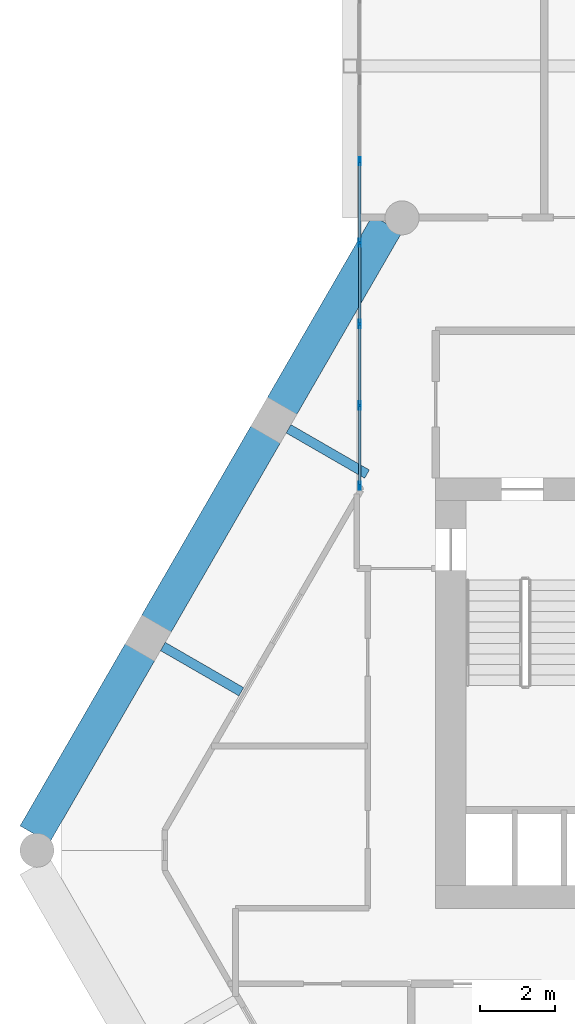
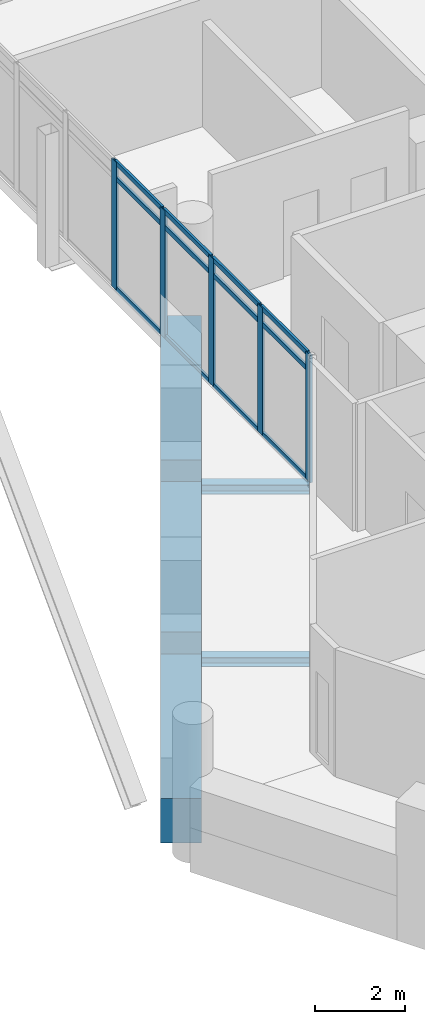
# One storey, part 15 of 34: 17 members, 5 beams, 1 element without a shape of its own.
"""IFC4 building model written with IfcOpenShell, lengths in metres."""

from ifc_helpers import new_model, si_unit, direction, frame, origin, origin_2d, place, context, subcontext, project, spatial, rectangle, hollow_rectangle, i_section, extrude, material, material_profile, profile_set, type_object, element, aggregate, save


model = new_model("IFC4")

# Units and contexts
model_context = context("Model", 3, precision=1e-05, world=origin(), true_north=direction((0.0, 1.0)))
body_context = subcontext(model_context, "Body", "Model", "MODEL_VIEW")
ifc_project = project(units=[si_unit("LENGTHUNIT", "METRE"), si_unit("AREAUNIT", "SQUARE_METRE"), si_unit("VOLUMEUNIT", "CUBIC_METRE"), si_unit("PLANEANGLEUNIT", "RADIAN"), si_unit("MASSUNIT", "GRAM", prefix="KILO")], contexts=[model_context])

# Site, building, storey
site_placement = place(None, origin())
site = spatial("IfcSite", under=ifc_project, at=site_placement, CompositionType="ELEMENT")
building_placement = place(site_placement, origin())
building = spatial("IfcBuilding", under=site, at=building_placement, Name="Ostrander Bayou Hotel Tower", CompositionType="ELEMENT")
storey_placement = place(building_placement, frame((0.0, 0.0, 222.0)))
storey = spatial("IfcBuildingStorey", under=building, at=storey_placement, Name="L55", CompositionType="ELEMENT", Elevation=222.0)

# Curtain wall, members
ifc_material_1 = material(Name="Aluminium and clear glass", Category="aluminium")
curtain_wall_type = type_object("IfcCurtainWallType", Name="CW-BAR glazed wall", PredefinedType="NOTDEFINED", material=ifc_material_1)
curtain_wall_placement = place(storey_placement, origin())
curtain_wall = element("IfcCurtainWall", 1, at=curtain_wall_placement, inside=storey, type_object=curtain_wall_type, Name="CW-BAR L55:SB5N:E", PredefinedType="NOTDEFINED")
ifc_material_2 = material(Name="Aluminium", Category="aluminium")
ifc_material_profile_1 = material_profile(ifc_material_2, hollow_rectangle(XDim=0.06005859375, YDim=0.219970703125, WallThickness=0.00390625, at=origin_2d()))
ifc_profile_set_1 = profile_set([ifc_material_profile_1], Name="Aluminium")
member_type_1 = type_object("IfcMemberType", Name="CW-BR mullion 60 x 220 mm", PredefinedType="MULLION", material=ifc_profile_set_1)
member_1_placement = place(storey_placement, frame((-10.51220703125, 9.4951171875, 0.0), z_axis=(0.0, 0.0, 1.0), x_axis=(-1.0, 0.0, 0.0)))
member_1 = element("IfcMember", 2, at=member_1_placement, type_object=member_type_1, Name="CW-BAR mullion 1", PredefinedType="MULLION", context=body_context, shape_type="SweptSolid", body=[
    extrude(hollow_rectangle(XDim=0.06005859375, YDim=0.219970703125, WallThickness=0.00390625, at=origin_2d()), origin(), (0.0, 0.0, 1.0), 3.449951171875),
])
member_2_placement = place(storey_placement, frame((-10.51220703125, 11.620849609375, 0.0), z_axis=(0.0, 0.0, 1.0), x_axis=(-1.0, 0.0, 0.0)))
member_2 = element("IfcMember", 3, at=member_2_placement, type_object=member_type_1, Name="CW-BAR mullion 2", PredefinedType="MULLION", context=body_context, shape_type="SweptSolid", body=[
    extrude(hollow_rectangle(XDim=0.06005859375, YDim=0.219970703125, WallThickness=0.00390625, at=origin_2d()), origin(), (0.0, 0.0, 1.0), 3.449951171875),
])
member_3_placement = place(storey_placement, frame((-10.51220703125, 13.7763671875, 0.0), z_axis=(0.0, 0.0, 1.0), x_axis=(-1.0, 0.0, 0.0)))
member_3 = element("IfcMember", 4, at=member_3_placement, type_object=member_type_1, Name="CW-BAR mullion 3", PredefinedType="MULLION", context=body_context, shape_type="SweptSolid", body=[
    extrude(hollow_rectangle(XDim=0.06005859375, YDim=0.219970703125, WallThickness=0.00390625, at=origin_2d()), origin(), (0.0, 0.0, 1.0), 3.449951171875),
])
member_4_placement = place(storey_placement, frame((-10.51220703125, 15.93212890625, 0.0), z_axis=(0.0, 0.0, 1.0), x_axis=(-1.0, 0.0, 0.0)))
member_4 = element("IfcMember", 5, at=member_4_placement, type_object=member_type_1, Name="CW-BAR mullion 4", PredefinedType="MULLION", context=body_context, shape_type="SweptSolid", body=[
    extrude(hollow_rectangle(XDim=0.06005859375, YDim=0.219970703125, WallThickness=0.00390625, at=origin_2d()), origin(), (0.0, 0.0, 1.0), 3.449951171875),
])
member_5_placement = place(storey_placement, frame((-10.51220703125, 18.087890625, 0.0), z_axis=(0.0, 0.0, 1.0), x_axis=(-1.0, 0.0, 0.0)))
member_5 = element("IfcMember", 6, at=member_5_placement, type_object=member_type_1, Name="CW-BAR mullion 5", PredefinedType="MULLION", context=body_context, shape_type="SweptSolid", body=[
    extrude(hollow_rectangle(XDim=0.06005859375, YDim=0.219970703125, WallThickness=0.00390625, at=origin_2d()), origin(), (0.0, 0.0, 1.0), 3.449951171875),
])
ifc_material_3 = material(Name="Aluminium", Category="aluminium")
ifc_material_profile_2 = material_profile(ifc_material_3, hollow_rectangle(XDim=0.06005859375, YDim=0.1298828125, WallThickness=0.00390625, at=origin_2d()))
ifc_profile_set_2 = profile_set([ifc_material_profile_2], Name="Aluminium")
member_type_2 = type_object("IfcMemberType", Name="CW-BR transom 60 x 130 mm", PredefinedType="USERDEFINED", material=ifc_profile_set_2)
member_6_placement = place(storey_placement, frame((-10.51220703125, 9.52490234375, 0.030029296875), z_axis=(0.0, 1.0, 0.0), x_axis=(-1.0, 0.0, 0.0)))
member_6 = element("IfcMember", 7, at=member_6_placement, type_object=member_type_2, Name="CW-BAR transom 1.1", ObjectType="TRANSOM", PredefinedType="USERDEFINED", context=body_context, shape_type="SweptSolid", body=[
    extrude(hollow_rectangle(XDim=0.06005859375, YDim=0.1298828125, WallThickness=0.00390625, at=origin_2d()), origin(), (0.0, 0.0, 1.0), 2.06591796875),
])
member_7_placement = place(storey_placement, frame((-10.51220703125, 9.52490234375, 3.0), z_axis=(0.0, 1.0, 0.0), x_axis=(-1.0, 0.0, 0.0)))
member_7 = element("IfcMember", 8, at=member_7_placement, type_object=member_type_2, Name="CW-BAR transom 1.2", ObjectType="TRANSOM", PredefinedType="USERDEFINED", context=body_context, shape_type="SweptSolid", body=[
    extrude(hollow_rectangle(XDim=0.06005859375, YDim=0.1298828125, WallThickness=0.00390625, at=origin_2d()), origin(), (0.0, 0.0, 1.0), 2.06591796875),
])
member_8_placement = place(storey_placement, frame((-10.51220703125, 9.52490234375, 3.419921875), z_axis=(0.0, 1.0, 0.0), x_axis=(-1.0, 0.0, 0.0)))
member_8 = element("IfcMember", 9, at=member_8_placement, type_object=member_type_2, Name="CW-BAR transom 1.3", ObjectType="TRANSOM", PredefinedType="USERDEFINED", context=body_context, shape_type="SweptSolid", body=[
    extrude(hollow_rectangle(XDim=0.06005859375, YDim=0.1298828125, WallThickness=0.00390625, at=origin_2d()), origin(), (0.0, 0.0, 1.0), 2.06591796875),
])
member_9_placement = place(storey_placement, frame((-10.51220703125, 11.650634765625, 0.030029296875), z_axis=(0.0, 1.0, 0.0), x_axis=(-1.0, 0.0, 0.0)))
member_9 = element("IfcMember", 10, at=member_9_placement, type_object=member_type_2, Name="CW-BAR transom 2.1", ObjectType="TRANSOM", PredefinedType="USERDEFINED", context=body_context, shape_type="SweptSolid", body=[
    extrude(hollow_rectangle(XDim=0.06005859375, YDim=0.1298828125, WallThickness=0.00390625, at=origin_2d()), origin(), (0.0, 0.0, 1.0), 2.095947265625),
])
member_10_placement = place(storey_placement, frame((-10.51220703125, 11.650634765625, 3.0), z_axis=(0.0, 1.0, 0.0), x_axis=(-1.0, 0.0, 0.0)))
member_10 = element("IfcMember", 11, at=member_10_placement, type_object=member_type_2, Name="CW-BAR transom 2.2", ObjectType="TRANSOM", PredefinedType="USERDEFINED", context=body_context, shape_type="SweptSolid", body=[
    extrude(hollow_rectangle(XDim=0.06005859375, YDim=0.1298828125, WallThickness=0.00390625, at=origin_2d()), origin(), (0.0, 0.0, 1.0), 2.095947265625),
])
member_11_placement = place(storey_placement, frame((-10.51220703125, 11.650634765625, 3.419921875), z_axis=(0.0, 1.0, 0.0), x_axis=(-1.0, 0.0, 0.0)))
member_11 = element("IfcMember", 12, at=member_11_placement, type_object=member_type_2, Name="CW-BAR transom 2.3", ObjectType="TRANSOM", PredefinedType="USERDEFINED", context=body_context, shape_type="SweptSolid", body=[
    extrude(hollow_rectangle(XDim=0.06005859375, YDim=0.1298828125, WallThickness=0.00390625, at=origin_2d()), origin(), (0.0, 0.0, 1.0), 2.095947265625),
])
member_12_placement = place(storey_placement, frame((-10.51220703125, 13.806396484375, 0.030029296875), z_axis=(0.0, 1.0, 0.0), x_axis=(-1.0, 0.0, 0.0)))
member_12 = element("IfcMember", 13, at=member_12_placement, type_object=member_type_2, Name="CW-BAR transom 3.1", ObjectType="TRANSOM", PredefinedType="USERDEFINED", context=body_context, shape_type="SweptSolid", body=[
    extrude(hollow_rectangle(XDim=0.06005859375, YDim=0.1298828125, WallThickness=0.00390625, at=origin_2d()), origin(), (0.0, 0.0, 1.0), 2.095703125),
])
member_13_placement = place(storey_placement, frame((-10.51220703125, 13.806396484375, 3.0), z_axis=(0.0, 1.0, 0.0), x_axis=(-1.0, 0.0, 0.0)))
member_13 = element("IfcMember", 14, at=member_13_placement, type_object=member_type_2, Name="CW-BAR transom 3.2", ObjectType="TRANSOM", PredefinedType="USERDEFINED", context=body_context, shape_type="SweptSolid", body=[
    extrude(hollow_rectangle(XDim=0.06005859375, YDim=0.1298828125, WallThickness=0.00390625, at=origin_2d()), origin(), (0.0, 0.0, 1.0), 2.095703125),
])
member_14_placement = place(storey_placement, frame((-10.51220703125, 13.806396484375, 3.419921875), z_axis=(0.0, 1.0, 0.0), x_axis=(-1.0, 0.0, 0.0)))
member_14 = element("IfcMember", 15, at=member_14_placement, type_object=member_type_2, Name="CW-BAR transom 3.3", ObjectType="TRANSOM", PredefinedType="USERDEFINED", context=body_context, shape_type="SweptSolid", body=[
    extrude(hollow_rectangle(XDim=0.06005859375, YDim=0.1298828125, WallThickness=0.00390625, at=origin_2d()), origin(), (0.0, 0.0, 1.0), 2.095703125),
])
member_15_placement = place(storey_placement, frame((-10.51220703125, 15.962158203125, 0.030029296875), z_axis=(0.0, 1.0, 0.0), x_axis=(-1.0, 0.0, 0.0)))
member_15 = element("IfcMember", 16, at=member_15_placement, type_object=member_type_2, Name="CW-BAR transom 4.1", ObjectType="TRANSOM", PredefinedType="USERDEFINED", context=body_context, shape_type="SweptSolid", body=[
    extrude(hollow_rectangle(XDim=0.06005859375, YDim=0.1298828125, WallThickness=0.00390625, at=origin_2d()), origin(), (0.0, 0.0, 1.0), 2.095703125),
])
member_16_placement = place(storey_placement, frame((-10.51220703125, 15.962158203125, 3.0), z_axis=(0.0, 1.0, 0.0), x_axis=(-1.0, 0.0, 0.0)))
member_16 = element("IfcMember", 17, at=member_16_placement, type_object=member_type_2, Name="CW-BAR transom 4.2", ObjectType="TRANSOM", PredefinedType="USERDEFINED", context=body_context, shape_type="SweptSolid", body=[
    extrude(hollow_rectangle(XDim=0.06005859375, YDim=0.1298828125, WallThickness=0.00390625, at=origin_2d()), origin(), (0.0, 0.0, 1.0), 2.095703125),
])
member_17_placement = place(storey_placement, frame((-10.51220703125, 15.962158203125, 3.419921875), z_axis=(0.0, 1.0, 0.0), x_axis=(-1.0, 0.0, 0.0)))
member_17 = element("IfcMember", 18, at=member_17_placement, type_object=member_type_2, Name="CW-BAR transom 4.3", ObjectType="TRANSOM", PredefinedType="USERDEFINED", context=body_context, shape_type="SweptSolid", body=[
    extrude(hollow_rectangle(XDim=0.06005859375, YDim=0.1298828125, WallThickness=0.00390625, at=origin_2d()), origin(), (0.0, 0.0, 1.0), 2.095703125),
])
aggregate(curtain_wall, [member_1, member_2, member_3, member_4, member_5, member_6, member_7, member_8, member_9, member_10, member_11, member_12, member_13, member_14, member_15, member_16, member_17])

# Beams
ifc_material_4 = material(Name="Steel ASTM A992", Category="steel")
ifc_material_profile_3 = material_profile(ifc_material_4, i_section(OverallWidth=0.25390625, OverallDepth=0.25341796875, WebThickness=0.008544921875, FlangeThickness=0.01416015625, at=origin_2d()))
ifc_profile_set_3 = profile_set([ifc_material_profile_3], Name="Steel ASTM A992")
beam_type_1 = type_object("IfcBeamType", Name="LB2 loggia bracket W10x49", PredefinedType="BEAM", material=ifc_profile_set_3)
for number, where, z_axis, x_axis, name in (
    (19, (-12.396484375, 11.00146484375, -0.4267578125), (0.866050077142, -0.499957262057, 0.0), (0.499957262057, 0.866050077142, 0.0), "LB2 L55 NW1"),
    (20, (-15.725830078125, 5.23486328125, -0.4267578125), (0.866050077142, -0.499957262057, 0.0), (0.499957262057, 0.866050077142, 0.0), "LB2 L55 NW2"),
):
    element("IfcBeam", number, at=place(storey_placement, frame(where, z_axis=z_axis, x_axis=x_axis)), inside=storey, type_object=beam_type_1, Name=name, PredefinedType="BEAM", context=body_context, shape_type="SweptSolid", body=[
        extrude(i_section(OverallWidth=0.25390625, OverallDepth=0.25341796875, WebThickness=0.008544921875, FlangeThickness=0.01416015625, at=origin_2d()), origin(), (0.0, 0.0, 1.0), 2.400146484375),
    ])
ifc_material_5 = material(Name="Concrete f'c 60 MPa", Category="concrete")
ifc_material_profile_4 = material_profile(ifc_material_5, rectangle(XDim=0.89990234375, YDim=1.199951171875, at=origin_2d()))
ifc_profile_set_4 = profile_set([ifc_material_profile_4], Name="Concrete f'c 60 MPa")
beam_type_2 = type_object("IfcBeamType", Name="SP4 spandrel beam 900 x 1200 mm f'c 60 MPa", PredefinedType="SPANDREL", material=ifc_profile_set_4)
beam_1_placement = place(storey_placement, frame((-9.782958984375, 16.427978515625, -0.60009765625), z_axis=(-0.500007442593, -0.866021106759, 0.0), x_axis=(0.866021106759, -0.500007442593, 0.0)))
element("IfcBeam", 21, at=beam_1_placement, inside=storey, type_object=beam_type_2, Name="SP4 L55 NW-1", PredefinedType="SPANDREL", context=body_context, shape_type="SweptSolid", body=[
    extrude(rectangle(XDim=0.89990234375, YDim=1.199951171875, at=origin_2d()), origin(), (0.0, 0.0, 1.0), 5.58642578125),
])
beam_2_placement = place(storey_placement, frame((-12.99609375, 10.86279296875, -0.60009765625), z_axis=(-0.499997265274, -0.866026982673, 0.0), x_axis=(0.866026982673, -0.499997265274, 0.0)))
element("IfcBeam", 22, at=beam_2_placement, inside=storey, type_object=beam_type_2, Name="SP4 L55 NW-2", PredefinedType="SPANDREL", context=body_context, shape_type="SweptSolid", body=[
    extrude(rectangle(XDim=0.89990234375, YDim=1.199951171875, at=origin_2d()), origin(), (0.0, 0.0, 1.0), 5.81884765625),
])
beam_3_placement = place(storey_placement, frame((-16.325439453125, 5.09619140625, -0.60009765625), z_axis=(-0.500007442593, -0.866021106759, 0.0), x_axis=(0.866021106759, -0.500007442593, 0.0)))
element("IfcBeam", 23, at=beam_3_placement, inside=storey, type_object=beam_type_2, Name="SP4 L55 NW-3", PredefinedType="SPANDREL", context=body_context, shape_type="SweptSolid", body=[
    extrude(rectangle(XDim=0.89990234375, YDim=1.199951171875, at=origin_2d()), origin(), (0.0, 0.0, 1.0), 5.58642578125),
])

save(model, "model.ifc")
